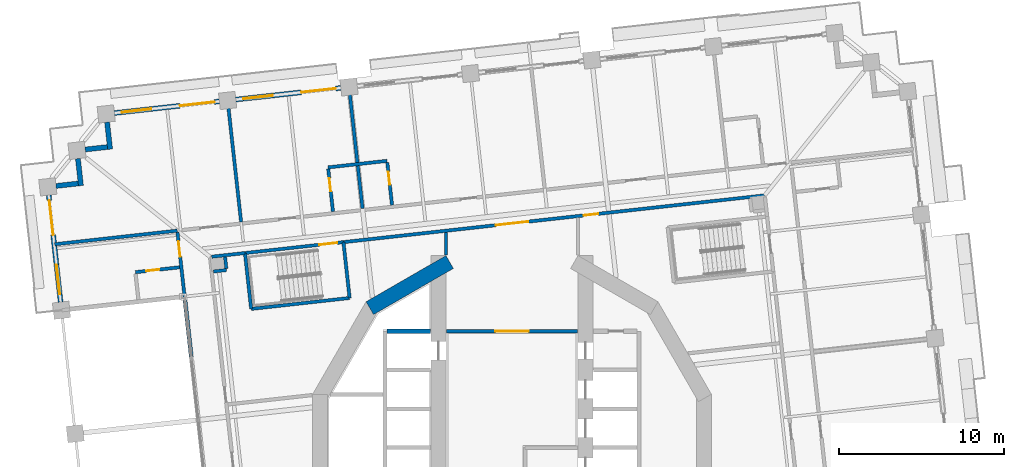
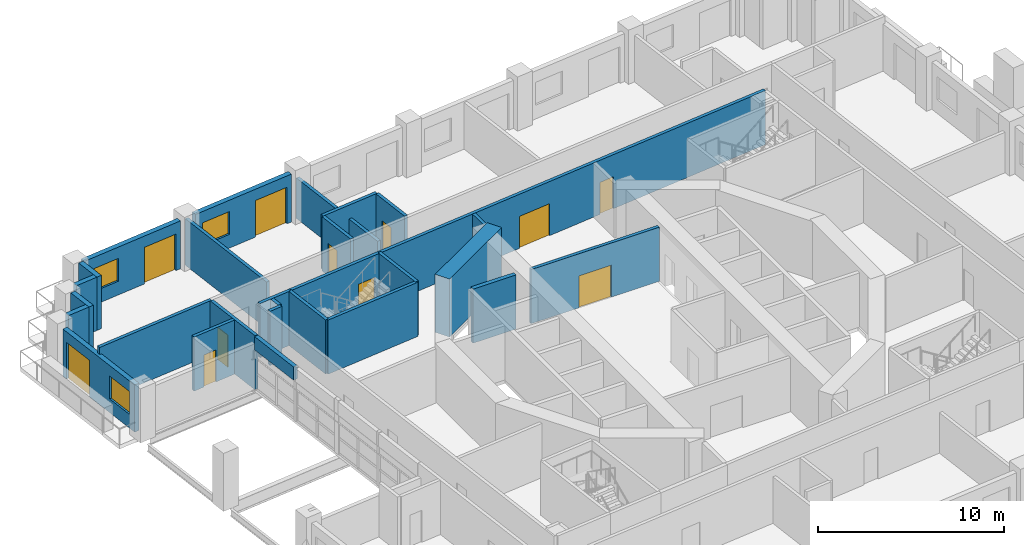
# One storey, part 11 of 21: 28 walls, 11 doors, 3 windows, 14 openings.
"""IFC4 building model written with IfcOpenShell, lengths in metres."""

from ifc_helpers import new_model, si_unit, direction, frame, frame_2d, origin, place, context, subcontext, project, spatial, rectangle, extrude, material, layer, layer_set, type_object, element, fill, save


model = new_model("IFC4")

# Units and contexts
model_context = context("Model", 3, precision=1e-05, world=origin(), true_north=direction((0.0, 1.0)))
body_context = subcontext(model_context, "Body", "Model", "MODEL_VIEW")
ifc_project = project(units=[si_unit("LENGTHUNIT", "METRE"), si_unit("AREAUNIT", "SQUARE_METRE"), si_unit("VOLUMEUNIT", "CUBIC_METRE"), si_unit("PLANEANGLEUNIT", "RADIAN"), si_unit("MASSUNIT", "GRAM", prefix="KILO")], contexts=[model_context])

# Site, building, storey
site_placement = place(None, origin())
site = spatial("IfcSite", under=ifc_project, at=site_placement, CompositionType="ELEMENT")
building_placement = place(site_placement, origin())
building = spatial("IfcBuilding", under=site, at=building_placement, Name="Cantera Rosa Tower", CompositionType="ELEMENT")
storey_placement = place(building_placement, frame((0.0, 0.0, 72.89990234375)))
storey = spatial("IfcBuildingStorey", under=building, at=storey_placement, Name="L15", CompositionType="ELEMENT", Elevation=72.89990234375)

# Wall, opening, door
ifc_material_1 = material(Name="Gypsum board partition")
ifc_layer_1 = layer(ifc_material_1, 0.199951171875)
ifc_layer_set_1 = layer_set([ifc_layer_1], Name="CORRIDOR WALL 200 H3550")
wall_type_1 = type_object("IfcWallType", Name="CORRIDOR WALL 200 H3550", PredefinedType="PARTITIONING", material=ifc_layer_set_1)
wall_1_placement = place(storey_placement, frame((-20.2626953125, 13.04443359375, 0.0), z_axis=(0.0, 0.0, 1.0), x_axis=(0.110332157686, -0.993894770577, 0.0)))
wall_1 = element("IfcWall", 1, at=wall_1_placement, inside=storey, type_object=wall_type_1, Name="CORRIDOR WALL L15-007", PredefinedType="PARTITIONING", context=body_context, shape_type="SweptSolid", body=[
    extrude(rectangle(XDim=4.044921875, YDim=0.199951171875, at=frame_2d((2.0224609375, 0.0))), origin(), (0.0, 0.0, 1.0), 3.550048828125),
])
opening_1_placement = place(wall_1_placement, frame((0.534912109375, 0.0, 0.0)))
opening_1 = element("IfcOpeningElement", 2, at=opening_1_placement, cuts=wall_1, Name="Opening L15-033", PredefinedType="OPENING", context=body_context, shape_type="SweptSolid", body=[
    extrude(rectangle(XDim=0.949951171875, YDim=2.10009765625, at=frame_2d((0.47509765625, 1.050048828125))), frame((0.0, 0.10986328125, 0.0), z_axis=(0.0, -1.0, 0.0), x_axis=(1.0, 0.0, 0.0)), (0.0, 0.0, 1.0), 0.219970703125),
])
ifc_material_2 = material(Name="Timber door leaf", Category="wood")
door_type_1 = type_object("IfcDoorType", Name="ROOM DOOR 950x2100", OperationType="NOTDEFINED", PredefinedType="DOOR", material=ifc_material_2)
door_1_placement = place(opening_1_placement, origin())
door_1 = element("IfcDoor", 3, at=door_1_placement, inside=storey, type_object=door_type_1, Name="DOOR L15-033", OperationType="NOTDEFINED", OverallHeight=2.10009765625, OverallWidth=0.949951171875, PredefinedType="DOOR", context=body_context, shape_type="SweptSolid", body=[
    extrude(rectangle(XDim=0.949951171875, YDim=2.10009765625, at=frame_2d((0.47509765625, 1.050048828125))), frame((0.0, 0.02490234375, 0.0), z_axis=(0.0, -1.0, 0.0), x_axis=(1.0, 0.0, 0.0)), (0.0, 0.0, 1.0), 0.050048828125),
])
fill(opening_1, door_1)

# Walls
wall_2_placement = place(storey_placement, frame((-16.172607421875, 11.787841796875, 0.0), z_axis=(0.0, 0.0, 1.0), x_axis=(-0.993905752705, -0.110233183482, 0.0)))
element("IfcWall", 4, at=wall_2_placement, inside=storey, type_object=wall_type_1, Name="CORRIDOR WALL L15-019", PredefinedType="PARTITIONING", context=body_context, shape_type="SweptSolid", body=[
    extrude(rectangle(XDim=2.026611328125, YDim=0.199951171875, at=frame_2d((1.01318359375, 0.0))), origin(), (0.0, 0.0, 1.0), 3.550048828125),
])
wall_3_placement = place(storey_placement, frame((-4.0, 13.038818359375, 0.0), z_axis=(0.0, 0.0, 1.0), x_axis=(0.0, -1.0, 0.0)))
element("IfcWall", 5, at=wall_3_placement, inside=storey, type_object=wall_type_1, Name="CORRIDOR WALL L15-053", PredefinedType="PARTITIONING", context=body_context, shape_type="SweptSolid", body=[
    extrude(rectangle(XDim=1.37158203125, YDim=0.199951171875, at=frame_2d((0.685791015625, 0.0))), origin(), (0.0, 0.0, 1.0), 3.550048828125),
])

# Wall, opening, door
wall_4_placement = place(storey_placement, frame((-3.969970703125, 7.050048828125, 0.0), z_axis=(0.0, 0.0, 1.0), x_axis=(1.0, 0.0, 0.0)))
wall_4 = element("IfcWall", 6, at=wall_4_placement, inside=storey, type_object=wall_type_1, Name="CORRIDOR WALL L15-054", PredefinedType="PARTITIONING", context=body_context, shape_type="SweptSolid", body=[
    extrude(rectangle(XDim=7.93994140625, YDim=0.199951171875, at=frame_2d((3.969970703125, 0.0))), origin(), (0.0, 0.0, 1.0), 3.550048828125),
])
opening_2_placement = place(wall_4_placement, frame((2.969970703125, 0.0, 0.0)))
opening_2 = element("IfcOpeningElement", 7, at=opening_2_placement, cuts=wall_4, Name="Opening L15-013", PredefinedType="OPENING", context=body_context, shape_type="SweptSolid", body=[
    extrude(rectangle(XDim=2.0, YDim=2.10009765625, at=frame_2d((1.0, 1.050048828125))), frame((0.0, 0.10986328125, 0.0), z_axis=(0.0, -1.0, 0.0), x_axis=(1.0, 0.0, 0.0)), (0.0, 0.0, 1.0), 0.219970703125),
])
ifc_material_3 = material(Name="Steel S355J2 (EN 10025-2)", Category="steel")
door_type_2 = type_object("IfcDoorType", Name="LOBBY SCREEN DOOR 2000x2100", OperationType="NOTDEFINED", PredefinedType="DOOR", material=ifc_material_3)
door_2_placement = place(opening_2_placement, origin())
door_2 = element("IfcDoor", 8, at=door_2_placement, inside=storey, type_object=door_type_2, Name="DOOR L15-013", OperationType="NOTDEFINED", OverallHeight=2.10009765625, OverallWidth=2.0, PredefinedType="DOOR", context=body_context, shape_type="SweptSolid", body=[
    extrude(rectangle(XDim=2.0, YDim=2.10009765625, at=frame_2d((1.0, 1.050048828125))), frame((0.0, 0.02490234375, 0.0), z_axis=(0.0, -1.0, 0.0), x_axis=(1.0, 0.0, 0.0)), (0.0, 0.0, 1.0), 0.050048828125),
])
fill(opening_2, door_2)

# Wall, openings, doors
wall_5_placement = place(storey_placement, frame((15.3076171875, 15.281982421875, 0.0), z_axis=(0.0, 0.0, 1.0), x_axis=(-0.993896137152, -0.110319846599, 0.0)))
wall_5 = element("IfcWall", 9, at=wall_5_placement, inside=storey, type_object=wall_type_1, Name="CORRIDOR WALL L15-087", PredefinedType="PARTITIONING", context=body_context, shape_type="SweptSolid", body=[
    extrude(rectangle(XDim=25.67333984375, YDim=0.199951171875, at=frame_2d((12.836669921875, 0.0))), origin(), (0.0, 0.0, 1.0), 3.550048828125),
])
opening_3_placement = place(wall_5_placement, frame((10.141357421875, 0.0, 0.0)))
opening_3 = element("IfcOpeningElement", 10, at=opening_3_placement, cuts=wall_5, Name="Opening L15-006", PredefinedType="OPENING", context=body_context, shape_type="SweptSolid", body=[
    extrude(rectangle(XDim=0.89990234375, YDim=2.10009765625, at=frame_2d((0.449951171875, 1.050048828125))), frame((0.0, 0.10986328125, 0.0), z_axis=(0.0, -1.0, 0.0), x_axis=(1.0, 0.0, 0.0)), (0.0, 0.0, 1.0), 0.219970703125),
])
opening_4_placement = place(wall_5_placement, frame((14.401611328125, 0.0, 0.0)))
opening_4 = element("IfcOpeningElement", 11, at=opening_4_placement, cuts=wall_5, Name="Opening L15-012", PredefinedType="OPENING", context=body_context, shape_type="SweptSolid", body=[
    extrude(rectangle(XDim=2.0, YDim=2.10009765625, at=frame_2d((1.0, 1.050048828125))), frame((0.0, 0.10986328125, 0.0), z_axis=(0.0, -1.0, 0.0), x_axis=(1.0, 0.0, 0.0)), (0.0, 0.0, 1.0), 0.219970703125),
])
door_3_placement = place(opening_4_placement, origin())
door_3 = element("IfcDoor", 12, at=door_3_placement, inside=storey, type_object=door_type_2, Name="DOOR L15-012", OperationType="NOTDEFINED", OverallHeight=2.10009765625, OverallWidth=2.0, PredefinedType="DOOR", context=body_context, shape_type="SweptSolid", body=[
    extrude(rectangle(XDim=2.0, YDim=2.10009765625, at=frame_2d((1.0, 1.050048828125))), frame((0.0, 0.02490234375, 0.0), z_axis=(0.0, -1.0, 0.0), x_axis=(1.0, 0.0, 0.0)), (0.0, 0.0, 1.0), 0.050048828125),
])
fill(opening_4, door_3)
ifc_material_4 = material(Name="Timber door leaf", Category="wood")
door_type_3 = type_object("IfcDoorType", Name="SERVICE DOOR 900x2100", OperationType="NOTDEFINED", PredefinedType="DOOR", material=ifc_material_4)
door_4_placement = place(opening_3_placement, origin())
door_4 = element("IfcDoor", 13, at=door_4_placement, inside=storey, type_object=door_type_3, Name="DOOR L15-006", OperationType="NOTDEFINED", OverallHeight=2.10009765625, OverallWidth=0.89990234375, PredefinedType="DOOR", context=body_context, shape_type="SweptSolid", body=[
    extrude(rectangle(XDim=0.89990234375, YDim=2.10009765625, at=frame_2d((0.449951171875, 1.050048828125))), frame((0.0, 0.02490234375, 0.0), z_axis=(0.0, -1.0, 0.0), x_axis=(1.0, 0.0, 0.0)), (0.0, 0.0, 1.0), 0.050048828125),
])
fill(opening_3, door_4)

# Walls
ifc_material_5 = material(Name="Hollow clay masonry with cantera stone cladding", Category="masonry")
ifc_layer_2 = layer(ifc_material_5, 0.300048828125)
ifc_layer_set_2 = layer_set([ifc_layer_2], Name="EW-LOGGIA 300")
wall_type_2 = type_object("IfcWallType", Name="EW-LOGGIA 300", PredefinedType="SOLIDWALL", material=ifc_layer_set_2)
wall_6_placement = place(storey_placement, frame((-24.5244140625, 19.71484375, 0.0), z_axis=(0.0, 0.0, 1.0), x_axis=(0.110236638423, -0.993905369514, 0.0)))
element("IfcWall", 14, at=wall_6_placement, inside=storey, type_object=wall_type_2, Name="EN-L15-W14a", PredefinedType="SOLIDWALL", context=body_context, shape_type="SweptSolid", body=[
    extrude(rectangle(XDim=1.64990234375, YDim=0.300048828125, at=frame_2d((0.824951171875, 0.0))), origin(), (0.0, 0.0, 1.0), 3.5),
])
wall_7_placement = place(storey_placement, frame((-24.508056640625, 18.20751953125, 0.0), z_axis=(0.0, 0.0, 1.0), x_axis=(-0.993896959738, -0.110312435488, 0.0)))
element("IfcWall", 15, at=wall_7_placement, inside=storey, type_object=wall_type_2, Name="EN-L15-W14b", PredefinedType="SOLIDWALL", context=body_context, shape_type="SweptSolid", body=[
    extrude(rectangle(XDim=1.35009765625, YDim=0.300048828125, at=frame_2d((0.675048828125, 0.0))), origin(), (0.0, 0.0, 1.0), 3.5),
])
wall_8_placement = place(storey_placement, frame((-26.291748046875, 17.506591796875, 0.0), z_axis=(0.0, 0.0, 1.0), x_axis=(0.110382805355, -0.993889146878, 0.0)))
element("IfcWall", 16, at=wall_8_placement, inside=storey, type_object=wall_type_2, Name="EN-L15-W15a", PredefinedType="SOLIDWALL", context=body_context, shape_type="SweptSolid", body=[
    extrude(rectangle(XDim=1.64990234375, YDim=0.300048828125, at=frame_2d((0.824951171875, 0.0))), origin(), (0.0, 0.0, 1.0), 3.5),
])
wall_9_placement = place(storey_placement, frame((-26.275146484375, 15.999267578125, 0.0), z_axis=(0.0, 0.0, 1.0), x_axis=(-0.993896959738, -0.110312435488, 0.0)))
element("IfcWall", 17, at=wall_9_placement, inside=storey, type_object=wall_type_2, Name="EN-L15-W15b", PredefinedType="SOLIDWALL", context=body_context, shape_type="SweptSolid", body=[
    extrude(rectangle(XDim=1.35009765625, YDim=0.300048828125, at=frame_2d((0.675048828125, 0.0))), origin(), (0.0, 0.0, 1.0), 3.5),
])

# Wall, openings, window, door
ifc_material_6 = material(Name="Hollow clay masonry with cantera stone cladding", Category="masonry")
ifc_layer_3 = layer(ifc_material_6, 0.300048828125)
ifc_layer_set_3 = layer_set([ifc_layer_3], Name="EW-LOGGIA 300 H3090")
wall_type_3 = type_object("IfcWallType", Name="EW-LOGGIA 300 H3090", PredefinedType="SOLIDWALL", material=ifc_layer_set_3)
wall_10_placement = place(storey_placement, frame((-28.058837890625, 15.298095703125, 0.0), z_axis=(0.0, 0.0, 1.0), x_axis=(0.110312341265, -0.993896970196, 0.0)))
wall_10 = element("IfcWall", 18, at=wall_10_placement, inside=storey, type_object=wall_type_3, Name="EN-L15-W16", PredefinedType="SOLIDWALL", context=body_context, shape_type="SweptSolid", body=[
    extrude(rectangle(XDim=6.52001953125, YDim=0.300048828125, at=frame_2d((3.260009765625, 0.0))), origin(), (0.0, 0.0, 1.0), 3.090087890625),
])
opening_5_placement = place(wall_10_placement, frame((0.330078125, 0.0, 0.0)))
opening_5 = element("IfcOpeningElement", 19, at=opening_5_placement, cuts=wall_10, Name="Opening L15-TD23", PredefinedType="OPENING", context=body_context, shape_type="SweptSolid", body=[
    extrude(rectangle(XDim=2.10009765625, YDim=2.39990234375, at=frame_2d((1.050048828125, 1.199951171875))), frame((0.0, 0.159912109375, 0.0), z_axis=(0.0, -1.0, 0.0), x_axis=(1.0, 0.0, 0.0)), (0.0, 0.0, 1.0), 0.320068359375),
])
opening_6_placement = place(wall_10_placement, frame((4.239990234375, 0.0, 0.89990234375)))
opening_6 = element("IfcOpeningElement", 20, at=opening_6_placement, cuts=wall_10, Name="Opening L15-W24", PredefinedType="OPENING", context=body_context, shape_type="SweptSolid", body=[
    extrude(rectangle(XDim=1.800048828125, YDim=1.5, at=frame_2d((0.89990234375, 0.75))), frame((0.0, 0.159912109375, 0.0), z_axis=(0.0, -1.0, 0.0), x_axis=(1.0, 0.0, 0.0)), (0.0, 0.0, 1.0), 0.320068359375),
])
ifc_material_7 = material(Name="Aluminium frame with clear glass", Category="aluminium")
window_type = type_object("IfcWindowType", Name="Hotel room window 1800x1500", PartitioningType="DOUBLE_PANEL_VERTICAL", PredefinedType="WINDOW", material=ifc_material_7)
window_1_placement = place(opening_6_placement, origin())
window_1 = element("IfcWindow", 21, at=window_1_placement, inside=storey, type_object=window_type, Name="WINDOW L15-W24", OverallHeight=1.5, OverallWidth=1.800048828125, PartitioningType="SINGLE_PANEL", PredefinedType="WINDOW", context=body_context, shape_type="SweptSolid", body=[
    extrude(rectangle(XDim=1.800048828125, YDim=1.5, at=frame_2d((0.89990234375, 0.75))), frame((0.0, 0.030029296875, 0.0), z_axis=(0.0, -1.0, 0.0), x_axis=(1.0, 0.0, 0.0)), (0.0, 0.0, 1.0), 0.06005859375),
])
fill(opening_6, window_1)
ifc_material_8 = material(Name="Aluminium frame with clear glass", Category="aluminium")
door_type_4 = type_object("IfcDoorType", Name="TD-H 2100x2400", OperationType="NOTDEFINED", PredefinedType="DOOR", material=ifc_material_8)
door_5_placement = place(opening_5_placement, origin())
door_5 = element("IfcDoor", 22, at=door_5_placement, inside=storey, type_object=door_type_4, Name="LOGGIA DOOR L15-TD23", OperationType="SLIDING_TO_LEFT", OverallHeight=2.39990234375, OverallWidth=2.10009765625, PredefinedType="DOOR", context=body_context, shape_type="SweptSolid", body=[
    extrude(rectangle(XDim=2.10009765625, YDim=2.39990234375, at=frame_2d((1.050048828125, 1.199951171875))), frame((0.0, 0.02490234375, 0.0), z_axis=(0.0, -1.0, 0.0), x_axis=(1.0, 0.0, 0.0)), (0.0, 0.0, 1.0), 0.050048828125),
])
fill(opening_5, door_5)

ifc_material_9 = material(Name="Hollow clay masonry with cantera stone cladding", Category="masonry")
ifc_layer_4 = layer(ifc_material_9, 0.300048828125)
ifc_layer_set_4 = layer_set([ifc_layer_4], Name="EW-LOGGIA 300 H3140")
wall_type_4 = type_object("IfcWallType", Name="EW-LOGGIA 300 H3140", PredefinedType="SOLIDWALL", material=ifc_layer_set_4)
wall_11_placement = place(storey_placement, frame((-10.366943359375, 21.789306640625, 0.0), z_axis=(0.0, 0.0, 1.0), x_axis=(-0.993900006422, -0.110284981906, 0.0)))
wall_11 = element("IfcWall", 23, at=wall_11_placement, inside=storey, type_object=wall_type_4, Name="EN-L15-W12", PredefinedType="SOLIDWALL", context=body_context, shape_type="SweptSolid", body=[
    extrude(rectangle(XDim=6.39990234375, YDim=0.300048828125, at=frame_2d((3.199951171875, 0.0))), origin(), (0.0, 0.0, 1.0), 3.14013671875),
])
opening_7_placement = place(wall_11_placement, frame((0.300048828125, 0.0, 0.0)))
opening_7 = element("IfcOpeningElement", 24, at=opening_7_placement, cuts=wall_11, Name="Opening L15-TD19", PredefinedType="OPENING", context=body_context, shape_type="SweptSolid", body=[
    extrude(rectangle(XDim=2.10009765625, YDim=2.39990234375, at=frame_2d((1.050048828125, 1.199951171875))), frame((0.0, 0.159912109375, 0.0), z_axis=(0.0, -1.0, 0.0), x_axis=(1.0, 0.0, 0.0)), (0.0, 0.0, 1.0), 0.320068359375),
])
opening_8_placement = place(wall_11_placement, frame((4.14990234375, 0.0, 0.89990234375)))
opening_8 = element("IfcOpeningElement", 25, at=opening_8_placement, cuts=wall_11, Name="Opening L15-W20", PredefinedType="OPENING", context=body_context, shape_type="SweptSolid", body=[
    extrude(rectangle(XDim=1.800048828125, YDim=1.5, at=frame_2d((0.89990234375, 0.75))), frame((0.0, 0.159912109375, 0.0), z_axis=(0.0, -1.0, 0.0), x_axis=(1.0, 0.0, 0.0)), (0.0, 0.0, 1.0), 0.320068359375),
])
window_2_placement = place(opening_8_placement, origin())
window_2 = element("IfcWindow", 26, at=window_2_placement, inside=storey, type_object=window_type, Name="WINDOW L15-W20", OverallHeight=1.5, OverallWidth=1.800048828125, PartitioningType="SINGLE_PANEL", PredefinedType="WINDOW", context=body_context, shape_type="SweptSolid", body=[
    extrude(rectangle(XDim=1.800048828125, YDim=1.5, at=frame_2d((0.89990234375, 0.75))), frame((0.0, 0.030029296875, 0.0), z_axis=(0.0, -1.0, 0.0), x_axis=(1.0, 0.0, 0.0)), (0.0, 0.0, 1.0), 0.06005859375),
])
fill(opening_8, window_2)
door_6_placement = place(opening_7_placement, origin())
door_6 = element("IfcDoor", 27, at=door_6_placement, inside=storey, type_object=door_type_4, Name="LOGGIA DOOR L15-TD19", OperationType="SLIDING_TO_LEFT", OverallHeight=2.39990234375, OverallWidth=2.10009765625, PredefinedType="DOOR", context=body_context, shape_type="SweptSolid", body=[
    extrude(rectangle(XDim=2.10009765625, YDim=2.39990234375, at=frame_2d((1.050048828125, 1.199951171875))), frame((0.0, 0.02490234375, 0.0), z_axis=(0.0, -1.0, 0.0), x_axis=(1.0, 0.0, 0.0)), (0.0, 0.0, 1.0), 0.050048828125),
])
fill(opening_7, door_6)

wall_12_placement = place(storey_placement, frame((-17.7216796875, 20.97314453125, 0.0), z_axis=(0.0, 0.0, 1.0), x_axis=(-0.993896288542, -0.110318482689, 0.0)))
wall_12 = element("IfcWall", 28, at=wall_12_placement, inside=storey, type_object=wall_type_4, Name="EN-L15-W13", PredefinedType="SOLIDWALL", context=body_context, shape_type="SweptSolid", body=[
    extrude(rectangle(XDim=6.400146484375, YDim=0.300048828125, at=frame_2d((3.2001953125, 0.0))), origin(), (0.0, 0.0, 1.0), 3.14013671875),
])
opening_9_placement = place(wall_12_placement, frame((0.300048828125, 0.0, 0.0)))
opening_9 = element("IfcOpeningElement", 29, at=opening_9_placement, cuts=wall_12, Name="Opening L15-TD21", PredefinedType="OPENING", context=body_context, shape_type="SweptSolid", body=[
    extrude(rectangle(XDim=2.10009765625, YDim=2.39990234375, at=frame_2d((1.050048828125, 1.199951171875))), frame((0.0, 0.159912109375, 0.0), z_axis=(0.0, -1.0, 0.0), x_axis=(1.0, 0.0, 0.0)), (0.0, 0.0, 1.0), 0.320068359375),
])
opening_10_placement = place(wall_12_placement, frame((4.14990234375, 0.0, 0.89990234375)))
opening_10 = element("IfcOpeningElement", 30, at=opening_10_placement, cuts=wall_12, Name="Opening L15-W22", PredefinedType="OPENING", context=body_context, shape_type="SweptSolid", body=[
    extrude(rectangle(XDim=1.800048828125, YDim=1.5, at=frame_2d((0.89990234375, 0.75))), frame((0.0, 0.159912109375, 0.0), z_axis=(0.0, -1.0, 0.0), x_axis=(1.0, 0.0, 0.0)), (0.0, 0.0, 1.0), 0.320068359375),
])
window_3_placement = place(opening_10_placement, origin())
window_3 = element("IfcWindow", 31, at=window_3_placement, inside=storey, type_object=window_type, Name="WINDOW L15-W22", OverallHeight=1.5, OverallWidth=1.800048828125, PartitioningType="SINGLE_PANEL", PredefinedType="WINDOW", context=body_context, shape_type="SweptSolid", body=[
    extrude(rectangle(XDim=1.800048828125, YDim=1.5, at=frame_2d((0.89990234375, 0.75))), frame((0.0, 0.030029296875, 0.0), z_axis=(0.0, -1.0, 0.0), x_axis=(1.0, 0.0, 0.0)), (0.0, 0.0, 1.0), 0.06005859375),
])
fill(opening_10, window_3)
door_7_placement = place(opening_9_placement, origin())
door_7 = element("IfcDoor", 32, at=door_7_placement, inside=storey, type_object=door_type_4, Name="LOGGIA DOOR L15-TD21", OperationType="SLIDING_TO_LEFT", OverallHeight=2.39990234375, OverallWidth=2.10009765625, PredefinedType="DOOR", context=body_context, shape_type="SweptSolid", body=[
    extrude(rectangle(XDim=2.10009765625, YDim=2.39990234375, at=frame_2d((1.050048828125, 1.199951171875))), frame((0.0, 0.02490234375, 0.0), z_axis=(0.0, -1.0, 0.0), x_axis=(1.0, 0.0, 0.0)), (0.0, 0.0, 1.0), 0.050048828125),
])
fill(opening_9, door_7)

# Wall
ifc_material_10 = material(Name="Hollow clay masonry with cantera stone cladding", Category="masonry")
ifc_layer_5 = layer(ifc_material_10, 0.25)
ifc_layer_set_5 = layer_set([ifc_layer_5], Name="EW-POCKET REAR 250")
wall_type_5 = type_object("IfcWallType", Name="EW-POCKET REAR 250", PredefinedType="SOLIDWALL", material=ifc_layer_set_5)
wall_13_placement = place(storey_placement, frame((-19.81640625, 9.024169921875, 2.634033203125), z_axis=(0.0, 0.0, 1.0), x_axis=(0.110333072464, -0.993894669027, 0.0)))
element("IfcWall", 33, at=wall_13_placement, inside=storey, type_object=wall_type_5, Name="POCKET SPANDREL L15-1", PredefinedType="SOLIDWALL", context=body_context, shape_type="SweptSolid", body=[
    extrude(rectangle(XDim=3.5380859375, YDim=0.25, at=frame_2d((1.76904296875, 0.0))), origin(), (0.0, 0.0, 1.0), 0.865966796875),
])

# Wall, opening, door
ifc_material_11 = material(Name="Gypsum board partition")
ifc_layer_6 = layer(ifc_material_11, 0.199951171875)
ifc_layer_set_6 = layer_set([ifc_layer_6], Name="PARTITION 200 H3550")
wall_type_6 = type_object("IfcWallType", Name="PARTITION 200 H3550", PredefinedType="PARTITIONING", material=ifc_layer_set_6)
wall_14_placement = place(storey_placement, frame((-22.811767578125, 10.62841796875, 0.0), z_axis=(0.0, 0.0, 1.0), x_axis=(0.993896959738, 0.110312435488, 0.0)))
wall_14 = element("IfcWall", 34, at=wall_14_placement, inside=storey, type_object=wall_type_6, Name="PARTITION L15-003", PredefinedType="PARTITIONING", context=body_context, shape_type="SweptSolid", body=[
    extrude(rectangle(XDim=2.699951171875, YDim=0.199951171875, at=frame_2d((1.35009765625, 0.0))), origin(), (0.0, 0.0, 1.0), 3.550048828125),
])
opening_11_placement = place(wall_14_placement, frame((0.6640625, 0.0, 0.0)))
opening_11 = element("IfcOpeningElement", 35, at=opening_11_placement, cuts=wall_14, Name="Opening L15-034", PredefinedType="OPENING", context=body_context, shape_type="SweptSolid", body=[
    extrude(rectangle(XDim=0.800048828125, YDim=2.10009765625, at=frame_2d((0.39990234375, 1.050048828125))), frame((0.0, 0.10986328125, 0.0), z_axis=(0.0, -1.0, 0.0), x_axis=(1.0, 0.0, 0.0)), (0.0, 0.0, 1.0), 0.219970703125),
])
ifc_material_12 = material(Name="Timber door leaf", Category="wood")
door_type_5 = type_object("IfcDoorType", Name="BATHROOM DOOR 800x2100", OperationType="NOTDEFINED", PredefinedType="DOOR", material=ifc_material_12)
door_8_placement = place(opening_11_placement, origin())
door_8 = element("IfcDoor", 36, at=door_8_placement, inside=storey, type_object=door_type_5, Name="DOOR L15-034", OperationType="NOTDEFINED", OverallHeight=2.10009765625, OverallWidth=0.800048828125, PredefinedType="DOOR", context=body_context, shape_type="SweptSolid", body=[
    extrude(rectangle(XDim=0.800048828125, YDim=2.10009765625, at=frame_2d((0.39990234375, 1.050048828125))), frame((0.0, 0.02490234375, 0.0), z_axis=(0.0, -1.0, 0.0), x_axis=(1.0, 0.0, 0.0)), (0.0, 0.0, 1.0), 0.050048828125),
])
fill(opening_11, door_8)

# Walls
wall_15_placement = place(storey_placement, frame((-18.08740234375, 10.669921875, 0.0), z_axis=(0.0, 0.0, 1.0), x_axis=(0.993913470482, 0.110163574714, 0.0)))
element("IfcWall", 37, at=wall_15_placement, inside=storey, type_object=wall_type_6, Name="PARTITION L15-014", PredefinedType="PARTITIONING", context=body_context, shape_type="SweptSolid", body=[
    extrude(rectangle(XDim=0.800048828125, YDim=0.199951171875, at=frame_2d((0.39990234375, 0.0))), origin(), (0.0, 0.0, 1.0), 3.550048828125),
])
wall_16_placement = place(storey_placement, frame((-17.30322265625, 10.857421875, 0.0), z_axis=(0.0, 0.0, 1.0), x_axis=(-0.110546349969, 0.993870969748, 0.0)))
element("IfcWall", 38, at=wall_16_placement, inside=storey, type_object=wall_type_6, Name="PARTITION L15-016", PredefinedType="PARTITIONING", context=body_context, shape_type="SweptSolid", body=[
    extrude(rectangle(XDim=0.7001953125, YDim=0.199951171875, at=frame_2d((0.35009765625, 0.0))), origin(), (0.0, 0.0, 1.0), 3.550048828125),
])
wall_17_placement = place(storey_placement, frame((-11.140380859375, 16.974609375, 0.0), z_axis=(0.0, 0.0, 1.0), x_axis=(0.993893655453, 0.110342202485, 0.0)))
element("IfcWall", 39, at=wall_17_placement, inside=storey, type_object=wall_type_6, Name="PARTITION L15-031", PredefinedType="PARTITIONING", context=body_context, shape_type="SweptSolid", body=[
    extrude(rectangle(XDim=3.599853515625, YDim=0.199951171875, at=frame_2d((1.7998046875, 0.0))), origin(), (0.0, 0.0, 1.0), 3.550048828125),
])

# Wall, opening, door
wall_18_placement = place(storey_placement, frame((-10.8427734375, 14.291015625, 0.0), z_axis=(0.0, 0.0, 1.0), x_axis=(-0.110235713206, 0.993905472132, 0.0)))
wall_18 = element("IfcWall", 40, at=wall_18_placement, inside=storey, type_object=wall_type_6, Name="PARTITION L15-033", PredefinedType="PARTITIONING", context=body_context, shape_type="SweptSolid", body=[
    extrude(rectangle(XDim=2.60009765625, YDim=0.199951171875, at=frame_2d((1.300048828125, 0.0))), origin(), (0.0, 0.0, 1.0), 3.550048828125),
])
opening_12_placement = place(wall_18_placement, frame((1.236083984375, 0.0, 0.0)))
opening_12 = element("IfcOpeningElement", 41, at=opening_12_placement, cuts=wall_18, Name="Opening L15-029", PredefinedType="OPENING", context=body_context, shape_type="SweptSolid", body=[
    extrude(rectangle(XDim=0.800048828125, YDim=2.10009765625, at=frame_2d((0.39990234375, 1.050048828125))), frame((0.0, 0.10986328125, 0.0), z_axis=(0.0, -1.0, 0.0), x_axis=(1.0, 0.0, 0.0)), (0.0, 0.0, 1.0), 0.219970703125),
])
door_9_placement = place(opening_12_placement, origin())
door_9 = element("IfcDoor", 42, at=door_9_placement, inside=storey, type_object=door_type_5, Name="DOOR L15-029", OperationType="NOTDEFINED", OverallHeight=2.10009765625, OverallWidth=0.800048828125, PredefinedType="DOOR", context=body_context, shape_type="SweptSolid", body=[
    extrude(rectangle(XDim=0.800048828125, YDim=2.10009765625, at=frame_2d((0.39990234375, 1.050048828125))), frame((0.0, 0.02490234375, 0.0), z_axis=(0.0, -1.0, 0.0), x_axis=(1.0, 0.0, 0.0)), (0.0, 0.0, 1.0), 0.050048828125),
])
fill(opening_12, door_9)

wall_19_placement = place(storey_placement, frame((-7.551513671875, 17.2724609375, 0.0), z_axis=(0.0, 0.0, 1.0), x_axis=(0.110328468272, -0.993895180132, 0.0)))
wall_19 = element("IfcWall", 43, at=wall_19_placement, inside=storey, type_object=wall_type_6, Name="PARTITION L15-049", PredefinedType="PARTITIONING", context=body_context, shape_type="SweptSolid", body=[
    extrude(rectangle(XDim=2.60009765625, YDim=0.199951171875, at=frame_2d((1.300048828125, 0.0))), origin(), (0.0, 0.0, 1.0), 3.550048828125),
])
opening_13_placement = place(wall_19_placement, frame((0.56396484375, 0.0, 0.0)))
opening_13 = element("IfcOpeningElement", 44, at=opening_13_placement, cuts=wall_19, Name="Opening L15-027", PredefinedType="OPENING", context=body_context, shape_type="SweptSolid", body=[
    extrude(rectangle(XDim=0.800048828125, YDim=2.10009765625, at=frame_2d((0.39990234375, 1.050048828125))), frame((0.0, 0.10986328125, 0.0), z_axis=(0.0, -1.0, 0.0), x_axis=(1.0, 0.0, 0.0)), (0.0, 0.0, 1.0), 0.219970703125),
])
door_10_placement = place(opening_13_placement, origin())
door_10 = element("IfcDoor", 45, at=door_10_placement, inside=storey, type_object=door_type_5, Name="DOOR L15-027", OperationType="NOTDEFINED", OverallHeight=2.10009765625, OverallWidth=0.800048828125, PredefinedType="DOOR", context=body_context, shape_type="SweptSolid", body=[
    extrude(rectangle(XDim=0.800048828125, YDim=2.10009765625, at=frame_2d((0.39990234375, 1.050048828125))), frame((0.0, 0.02490234375, 0.0), z_axis=(0.0, -1.0, 0.0), x_axis=(1.0, 0.0, 0.0)), (0.0, 0.0, 1.0), 0.050048828125),
])
fill(opening_13, door_10)

# Walls
ifc_material_13 = material(Name="Gypsum board partition")
ifc_layer_7 = layer(ifc_material_13, 0.199951171875)
ifc_layer_set_7 = layer_set([ifc_layer_7], Name="PARTY WALL 200 H2650")
wall_type_7 = type_object("IfcWallType", Name="PARTY WALL 200 H2650", PredefinedType="PARTITIONING", material=ifc_layer_set_7)
wall_20_placement = place(storey_placement, frame((-9.0537109375, 14.48974609375, 0.0), z_axis=(0.0, 0.0, 1.0), x_axis=(-0.11031154238, 0.993897058864, 0.0)))
element("IfcWall", 46, at=wall_20_placement, inside=storey, type_object=wall_type_7, Name="PARTY WALL L15-039", PredefinedType="PARTITIONING", context=body_context, shape_type="SweptSolid", body=[
    extrude(rectangle(XDim=7.369873046875, YDim=0.199951171875, at=frame_2d((3.68505859375, 0.0))), origin(), (0.0, 0.0, 1.0), 2.650146484375),
])
ifc_material_14 = material(Name="Gypsum board partition")
ifc_layer_8 = layer(ifc_material_14, 0.199951171875)
ifc_layer_set_8 = layer_set([ifc_layer_8], Name="PARTY WALL 200 H3050")
wall_type_8 = type_object("IfcWallType", Name="PARTY WALL 200 H3050", PredefinedType="PARTITIONING", material=ifc_layer_set_8)
wall_21_placement = place(storey_placement, frame((-16.408447265625, 13.67333984375, 0.0), z_axis=(0.0, 0.0, 1.0), x_axis=(-0.11031154238, 0.993897058864, 0.0)))
element("IfcWall", 47, at=wall_21_placement, inside=storey, type_object=wall_type_8, Name="PARTY WALL L15-018", PredefinedType="PARTITIONING", context=body_context, shape_type="SweptSolid", body=[
    extrude(rectangle(XDim=7.369873046875, YDim=0.199951171875, at=frame_2d((3.68505859375, 0.0))), origin(), (0.0, 0.0, 1.0), 3.050048828125),
])
ifc_material_15 = material(Name="Gypsum board partition")
ifc_layer_9 = layer(ifc_material_15, 0.199951171875)
ifc_layer_set_9 = layer_set([ifc_layer_9], Name="PARTY WALL 200 H3550")
wall_type_9 = type_object("IfcWallType", Name="PARTY WALL 200 H3550", PredefinedType="PARTITIONING", material=ifc_layer_set_9)
wall_22_placement = place(storey_placement, frame((-20.273681640625, 13.143798828125, 0.0), z_axis=(0.0, 0.0, 1.0), x_axis=(-0.993894093242, -0.110338259085, 0.0)))
element("IfcWall", 48, at=wall_22_placement, inside=storey, type_object=wall_type_9, Name="PARTY WALL L15-006", PredefinedType="PARTITIONING", context=body_context, shape_type="SweptSolid", body=[
    extrude(rectangle(XDim=7.469970703125, YDim=0.199951171875, at=frame_2d((3.73486328125, 0.0))), origin(), (0.0, 0.0, 1.0), 3.550048828125),
])
ifc_material_16 = material(Name="Concrete C70/85", Category="concrete")
ifc_layer_10 = layer(ifc_material_16, 0.89990234375)
ifc_layer_set_10 = layer_set([ifc_layer_10], Name="RC CORE WALL 900 C70/85")
wall_type_10 = type_object("IfcWallType", Name="RC CORE WALL 900 C70/85", PredefinedType="SHEAR", material=ifc_layer_set_10)
wall_23_placement = place(storey_placement, frame((-8.61376953125, 8.44921875, 0.0), z_axis=(0.0, 0.0, 1.0), x_axis=(0.866026961591, 0.49999730179, 0.0)))
element("IfcWall", 49, at=wall_23_placement, inside=storey, type_object=wall_type_10, Name="CW-W5 L15", PredefinedType="SHEAR", context=body_context, shape_type="SweptSolid", body=[
    extrude(rectangle(XDim=5.58740234375, YDim=0.89990234375, at=frame_2d((2.793701171875, 0.0))), origin(), (0.0, 0.0, 1.0), 3.800048828125),
])
ifc_material_17 = material(Name="Masonry blockwork", Category="masonry")
ifc_layer_11 = layer(ifc_material_17, 0.25)
ifc_layer_set_11 = layer_set([ifc_layer_11], Name="SHAFT WALL 250 H3550")
wall_type_11 = type_object("IfcWallType", Name="SHAFT WALL 250 H3550", PredefinedType="SOLIDWALL", material=ifc_layer_set_11)
wall_24_placement = place(storey_placement, frame((-4.929931640625, 7.050048828125, 0.0), z_axis=(0.0, 0.0, 1.0), x_axis=(-1.0, 0.0, 0.0)))
element("IfcWall", 50, at=wall_24_placement, inside=storey, type_object=wall_type_11, Name="SHAFT WALL L15-050", PredefinedType="SOLIDWALL", context=body_context, shape_type="SweptSolid", body=[
    extrude(rectangle(XDim=2.650146484375, YDim=0.25, at=frame_2d((1.3251953125, 0.0))), origin(), (0.0, 0.0, 1.0), 3.550048828125),
])
ifc_material_18 = material(Name="Concrete C50/60", Category="concrete")
ifc_layer_12 = layer(ifc_material_18, 0.199951171875)
ifc_layer_set_12 = layer_set([ifc_layer_12], Name="STAIR WALL 200 H3550")
wall_type_12 = type_object("IfcWallType", Name="STAIR WALL 200 H3550", PredefinedType="SOLIDWALL", material=ifc_layer_set_12)
wall_25_placement = place(storey_placement, frame((-16.172607421875, 11.787841796875, 0.0), z_axis=(0.0, 0.0, 1.0), x_axis=(0.110368557057, -0.993890729212, 0.0)))
element("IfcWall", 51, at=wall_25_placement, inside=storey, type_object=wall_type_12, Name="STAIR WALL L15-020", PredefinedType="SOLIDWALL", context=body_context, shape_type="SweptSolid", body=[
    extrude(rectangle(XDim=3.404296875, YDim=0.199951171875, at=frame_2d((1.7021484375, 0.0))), origin(), (0.0, 0.0, 1.0), 3.550048828125),
])
wall_26_placement = place(storey_placement, frame((-15.796875, 8.404296875, 0.0), z_axis=(0.0, 0.0, 1.0), x_axis=(0.993897125329, 0.110310943534, 0.0)))
element("IfcWall", 52, at=wall_26_placement, inside=storey, type_object=wall_type_12, Name="STAIR WALL L15-021", PredefinedType="SOLIDWALL", context=body_context, shape_type="SweptSolid", body=[
    extrude(rectangle(XDim=6.0, YDim=0.199951171875, at=frame_2d((3.0, 0.0))), origin(), (0.0, 0.0, 1.0), 3.550048828125),
])

# Wall, opening, door
wall_27_placement = place(storey_placement, frame((-10.208984375, 12.44970703125, 0.0), z_axis=(0.0, 0.0, 1.0), x_axis=(-0.993897620437, -0.11030648254, 0.0)))
wall_27 = element("IfcWall", 53, at=wall_27_placement, inside=storey, type_object=wall_type_12, Name="STAIR WALL L15-036", PredefinedType="SOLIDWALL", context=body_context, shape_type="SweptSolid", body=[
    extrude(rectangle(XDim=6.000244140625, YDim=0.199951171875, at=frame_2d((3.0, 0.0))), origin(), (0.0, 0.0, 1.0), 3.550048828125),
])
opening_14_placement = place(wall_27_placement, frame((0.375, 0.0, 0.0)))
opening_14 = element("IfcOpeningElement", 54, at=opening_14_placement, cuts=wall_27, Name="Opening L15-002", PredefinedType="OPENING", context=body_context, shape_type="SweptSolid", body=[
    extrude(rectangle(XDim=1.10009765625, YDim=2.10009765625, at=frame_2d((0.550048828125, 1.050048828125))), frame((0.0, 0.10986328125, 0.0), z_axis=(0.0, -1.0, 0.0), x_axis=(1.0, 0.0, 0.0)), (0.0, 0.0, 1.0), 0.219970703125),
])
ifc_material_19 = material(Name="Steel S355J2 (EN 10025-2)", Category="steel")
door_type_6 = type_object("IfcDoorType", Name="STAIR DOOR 1100x2100", OperationType="NOTDEFINED", PredefinedType="DOOR", material=ifc_material_19)
door_11_placement = place(opening_14_placement, origin())
door_11 = element("IfcDoor", 55, at=door_11_placement, inside=storey, type_object=door_type_6, Name="DOOR L15-002", OperationType="NOTDEFINED", OverallHeight=2.10009765625, OverallWidth=1.10009765625, PredefinedType="DOOR", context=body_context, shape_type="SweptSolid", body=[
    extrude(rectangle(XDim=1.10009765625, YDim=2.10009765625, at=frame_2d((0.550048828125, 1.050048828125))), frame((0.0, 0.02490234375, 0.0), z_axis=(0.0, -1.0, 0.0), x_axis=(1.0, 0.0, 0.0)), (0.0, 0.0, 1.0), 0.050048828125),
])
fill(opening_14, door_11)

# Wall
wall_28_placement = place(storey_placement, frame((-9.83349609375, 9.066162109375, 0.0), z_axis=(0.0, 0.0, 1.0), x_axis=(-0.110297715324, 0.993898593416, 0.0)))
element("IfcWall", 56, at=wall_28_placement, inside=storey, type_object=wall_type_12, Name="STAIR WALL L15-037", PredefinedType="SOLIDWALL", context=body_context, shape_type="SweptSolid", body=[
    extrude(rectangle(XDim=3.404296875, YDim=0.199951171875, at=frame_2d((1.7021484375, 0.0))), origin(), (0.0, 0.0, 1.0), 3.550048828125),
])

save(model, "model.ifc")
